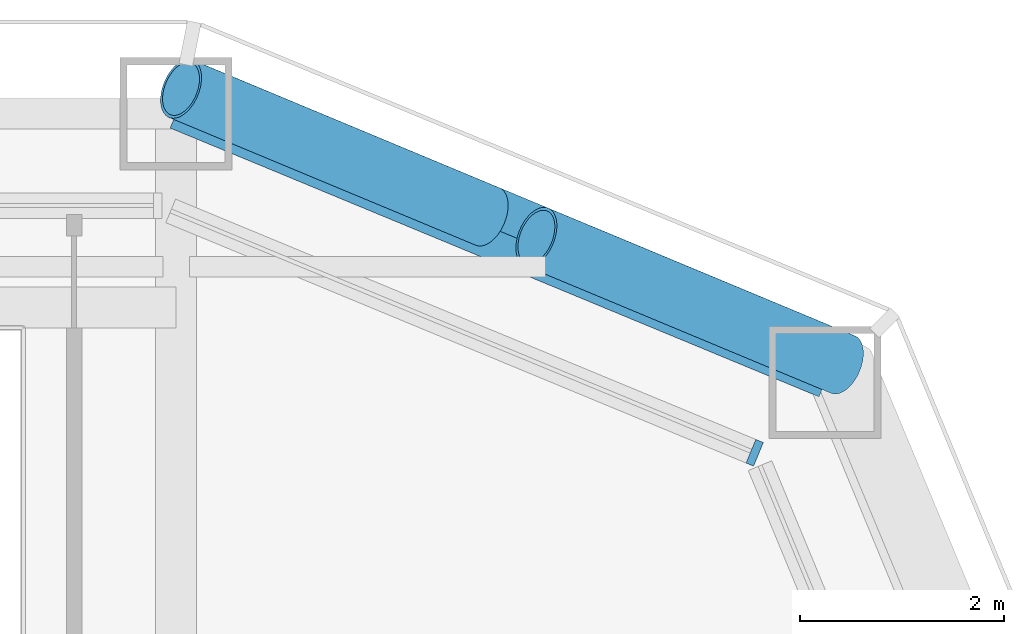
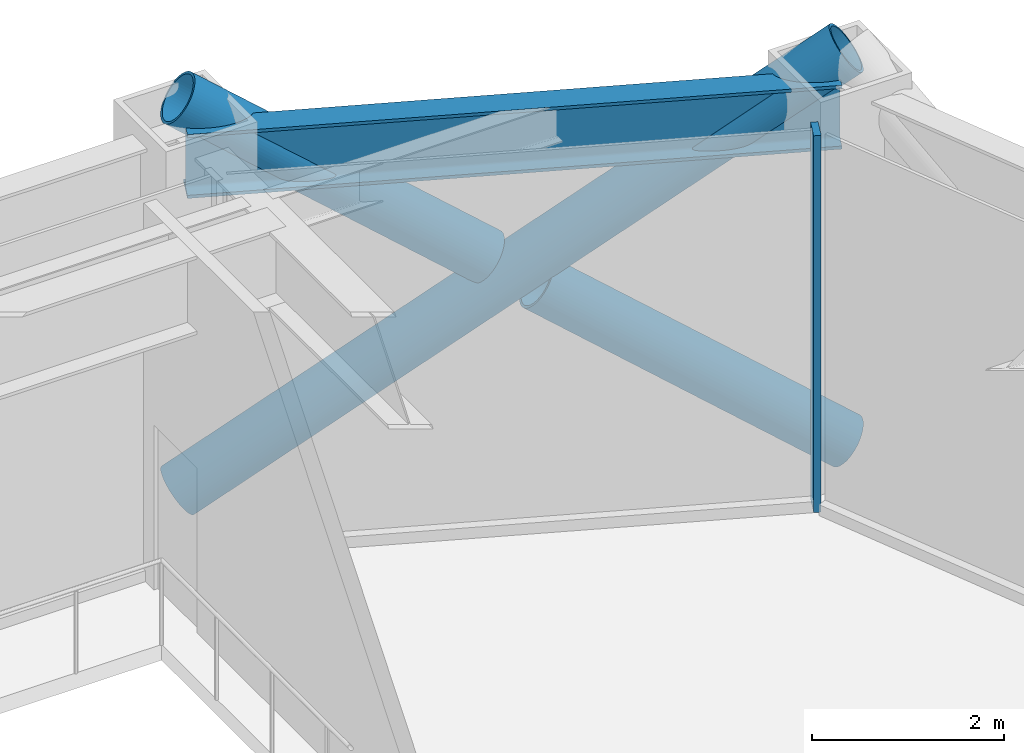
# One storey, part 10 of 25: 4 members, 1 beam, 1 element without a shape of its own.
"""IFC4 building model written with IfcOpenShell, lengths in metres."""

from ifc_helpers import new_model, si_unit, direction, frame, origin, origin_2d, place, context, subcontext, project, spatial, rectangle, hollow_circle, i_section, extrude, material, layer, layer_set, material_profile, profile_set, type_object, element, aggregate, save


model = new_model("IFC4")

# Units and contexts
model_context = context("Model", 3, precision=1e-05, world=origin(), true_north=direction((0.0, 1.0)))
body_context = subcontext(model_context, "Body", "Model", "MODEL_VIEW")
ifc_project = project(units=[si_unit("LENGTHUNIT", "METRE"), si_unit("AREAUNIT", "SQUARE_METRE"), si_unit("VOLUMEUNIT", "CUBIC_METRE"), si_unit("PLANEANGLEUNIT", "RADIAN"), si_unit("MASSUNIT", "GRAM", prefix="KILO")], contexts=[model_context])

# Site, building, storey
site_placement = place(None, origin())
site = spatial("IfcSite", under=ifc_project, at=site_placement, CompositionType="ELEMENT")
building_placement = place(site_placement, origin())
building = spatial("IfcBuilding", under=site, at=building_placement, Name="Siwar Civic Tower", CompositionType="ELEMENT")
storey_placement = place(building_placement, frame((0.0, 0.0, 7.199951171875)))
storey = spatial("IfcBuildingStorey", under=building, at=storey_placement, Name="L01", CompositionType="ELEMENT", Elevation=7.199951171875)

# Curtain wall, member
ifc_material_1 = material(Name="Aluminium clad insulated panel", Category="aluminium")
ifc_layer = layer(ifc_material_1, 0.25)
ifc_layer_set = layer_set([ifc_layer], Name="Aluminium clad insulated panel")
curtain_wall_type = type_object("IfcCurtainWallType", Name="ENV-CW-HX", PredefinedType="NOTDEFINED", material=ifc_layer_set)
curtain_wall_placement = place(storey_placement, origin())
curtain_wall = element("IfcCurtainWall", 1, at=curtain_wall_placement, inside=storey, type_object=curtain_wall_type, Name="Curtain wall H NE2", PredefinedType="NOTDEFINED")
ifc_material_2 = material(Name="Aluminium 6063-T6", Category="aluminium")
ifc_material_profile_1 = material_profile(ifc_material_2, rectangle(XDim=0.25, YDim=0.080078125, at=origin_2d()), Name="AL 250x80")
ifc_profile_set_1 = profile_set([ifc_material_profile_1], Name="Aluminium 6063-T6")
member_type_1 = type_object("IfcMemberType", Name="ENV-MULLION-H", PredefinedType="MULLION", material=ifc_profile_set_1)
member_1_placement = place(storey_placement, frame((28.175048828125, 28.175048828125, 0.0), z_axis=(0.0, 0.0, 1.0), x_axis=(-0.382683432365, -0.923879532511, 0.0)))
member_1 = element("IfcMember", 2, at=member_1_placement, type_object=member_type_1, Name="Mullion H NE2 1", PredefinedType="MULLION", context=body_context, shape_type="SweptSolid", body=[
    extrude(rectangle(XDim=0.25, YDim=0.080078125, at=origin_2d()), origin(), (0.0, 0.0, 1.0), 4.800048828125),
])
aggregate(curtain_wall, [member_1])

# Members
ifc_material_3 = material(Name="Steel S355", Category="steel")
ifc_material_profile_2 = material_profile(ifc_material_3, hollow_circle(Radius=0.304931640625, WallThickness=0.030029296875, at=origin_2d()), Name="CHS610x30")
ifc_profile_set_2 = profile_set([ifc_material_profile_2], Name="Steel S355")
member_type_2 = type_object("IfcMemberType", Name="STR-BR-CHS610x30", PredefinedType="BRACE", material=ifc_profile_set_2)
member_2_placement = place(storey_placement, frame((22.548828125, 31.7451171875, 0.0), z_axis=(0.752344350468, -0.313403721941, 0.579444635312), x_axis=(0.384538969033, 0.923108759191, 0.0)))
element("IfcMember", 3, at=member_2_placement, inside=storey, type_object=member_type_2, Name="L01/brc/ANE1-0-0-1", PredefinedType="BRACE", context=body_context, shape_type="SweptSolid", body=[
    extrude(hollow_circle(Radius=0.304931640625, WallThickness=0.030029296875, at=origin_2d()), origin(), (0.0, 0.0, 1.0), 8.62890625),
])
for number, where, z_axis, x_axis, name in (
    (4, (29.040771484375, 29.040771484375, 0.0), (-0.752340560323, 0.313373422739, 0.5794659431), (-0.384508939914, -0.923121267833, 0.0), "L01/brc/ANE1-0-0-2"),
    (5, (25.5556640625, 30.49267578125, 2.684326171875), (-0.752367191316, 0.313384515382, 0.57942536616), (-0.384508939914, -0.923121267833, 0.0), "L01/brc/ANE1-0-0-3"),
):
    element("IfcMember", number, at=place(storey_placement, frame(where, z_axis=z_axis, x_axis=x_axis)), inside=storey, type_object=member_type_2, Name=name, PredefinedType="BRACE", context=body_context, shape_type="SweptSolid", body=[
        extrude(hollow_circle(Radius=0.304931640625, WallThickness=0.030029296875, at=origin_2d()), origin(), (0.0, 0.0, 1.0), 3.99658203125),
    ])

# Beam
ifc_material_4 = material(Name="Steel S355", Category="steel")
ifc_material_profile_3 = material_profile(ifc_material_4, i_section(OverallWidth=0.302978515625, OverallDepth=0.81396484375, WebThickness=0.02099609375, FlangeThickness=0.0400390625, FilletRadius=0.030029296875, at=origin_2d()), Name="HEM800")
ifc_profile_set_3 = profile_set([ifc_material_profile_3], Name="Steel S355")
beam_type = type_object("IfcBeamType", Name="STR-SB-HEM800", PredefinedType="BEAM", material=ifc_profile_set_3)
beam_placement = place(storey_placement, frame((28.864013671875, 28.864013671875, 4.39306640625), z_axis=(-0.923883353507, 0.382674207535, 0.0), x_axis=(-0.382674207535, -0.923883353507, 0.0)))
element("IfcBeam", 6, at=beam_placement, inside=storey, type_object=beam_type, Name="L01/bm/SNE2-0", PredefinedType="BEAM", context=body_context, shape_type="SweptSolid", body=[
    extrude(i_section(OverallWidth=0.302978515625, OverallDepth=0.81396484375, WebThickness=0.02099609375, FlangeThickness=0.0400390625, FilletRadius=0.030029296875, at=origin_2d()), origin(), (0.0, 0.0, 1.0), 6.888427734375),
])

save(model, "model.ifc")
